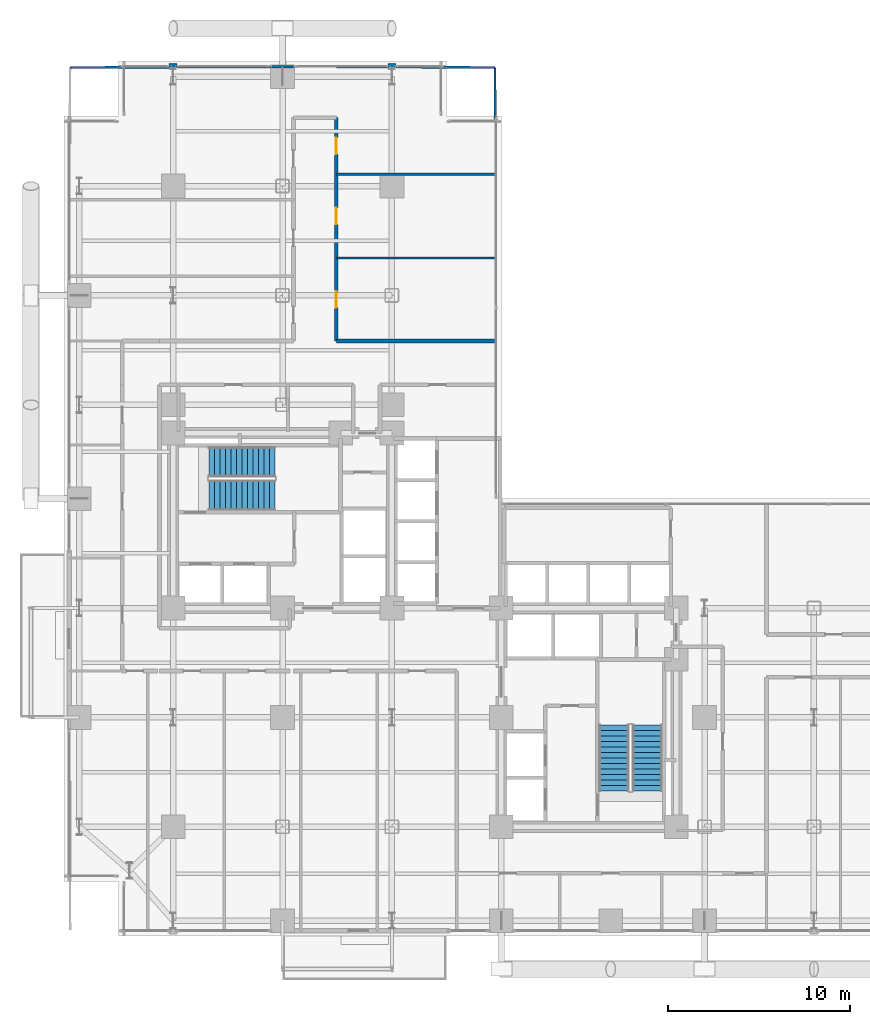
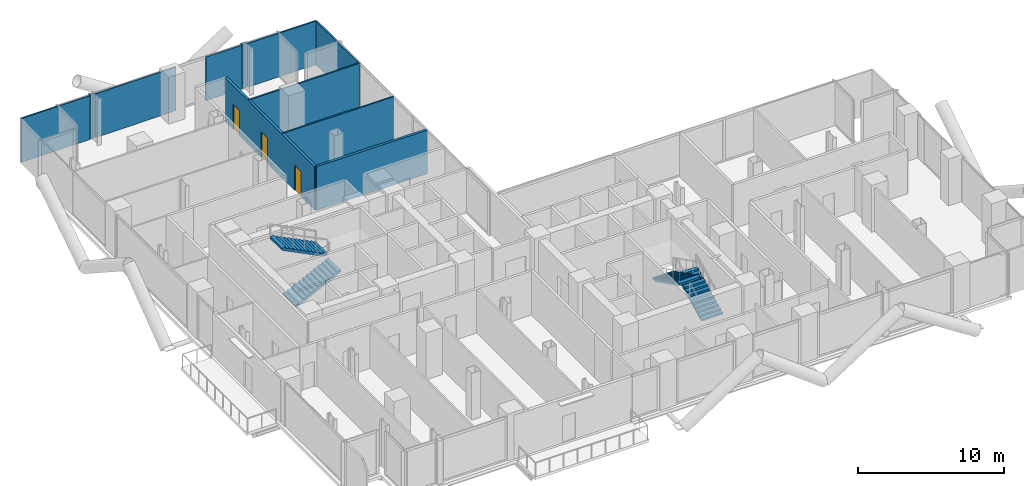
# One storey, part 23 of 25: 11 walls, 4 stair flights, 3 doors, 3 openings, 2 elements without a shape of their own.
"""IFC4 building model written with IfcOpenShell, lengths in metres."""

from ifc_helpers import new_model, si_unit, direction, frame, frame_2d, origin, place, context, subcontext, project, spatial, polyline, rectangle, outline, extrude, material, layer, layer_set, type_object, element, fill, aggregate, save


model = new_model("IFC4")

# Units and contexts
model_context = context("Model", 3, precision=1e-05, world=origin(), true_north=direction((0.0, 1.0)))
body_context = subcontext(model_context, "Body", "Model", "MODEL_VIEW")
ifc_project = project(units=[si_unit("LENGTHUNIT", "METRE"), si_unit("AREAUNIT", "SQUARE_METRE"), si_unit("VOLUMEUNIT", "CUBIC_METRE"), si_unit("PLANEANGLEUNIT", "RADIAN"), si_unit("MASSUNIT", "GRAM", prefix="KILO"), si_unit("THERMODYNAMICTEMPERATUREUNIT", "KELVIN"), si_unit("POWERUNIT", "WATT")], contexts=[model_context])

# Site, building, storey
site_placement = place(None, origin())
site = spatial("IfcSite", under=ifc_project, at=site_placement, CompositionType="ELEMENT")
building_placement = place(site_placement, origin())
building = spatial("IfcBuilding", under=site, at=building_placement, Name="Svarakhadi Broadcast Tower", CompositionType="ELEMENT")
storey_placement = place(building_placement, frame((0.0, 0.0, 51.89990234375)))
storey = spatial("IfcBuildingStorey", under=building, at=storey_placement, Name="L11", CompositionType="ELEMENT", Elevation=51.89990234375)

# Wall, openings, doors
ifc_material_1 = material(Name="Double-Stud Acoustic Studio Partition STC-62", Category="gypsum")
ifc_layer_1 = layer(ifc_material_1, 0.199951171875)
ifc_layer_set_1 = layer_set([ifc_layer_1], Name="Double-Stud Acoustic Studio Partition STC-62")
wall_type_1 = type_object("IfcWallType", Name="Wall_Acoust_200", PredefinedType="PARTITIONING", material=ifc_layer_set_1)
wall_1_placement = place(storey_placement, frame((14.949951171875, 44.89990234375, 0.0), z_axis=(0.0, 0.0, 1.0), x_axis=(0.0, -1.0, 0.0)))
wall_1 = element("IfcWall", 1, at=wall_1_placement, inside=storey, type_object=wall_type_1, Name="L11 Broadcast Corridor Wall", PredefinedType="PARTITIONING", context=body_context, shape_type="SweptSolid", body=[
    extrude(rectangle(XDim=12.25, YDim=0.199951171875, at=frame_2d((6.125, 0.0))), origin(), (0.0, 0.0, 1.0), 3.650146484375),
])
opening_1_placement = place(wall_1_placement, frame((9.52490234375, 0.0, 0.0)))
opening_1 = element("IfcOpeningElement", 2, at=opening_1_placement, cuts=wall_1, Name="Opening D-15", PredefinedType="OPENING", context=body_context, shape_type="SweptSolid", body=[
    extrude(rectangle(XDim=0.89990234375, YDim=2.10009765625, at=frame_2d((0.449951171875, 1.050048828125))), frame((0.0, 0.10986328125, 0.0), z_axis=(0.0, -1.0, 0.0), x_axis=(1.0, 0.0, 0.0)), (0.0, 0.0, 1.0), 0.219970703125),
])
opening_2_placement = place(wall_1_placement, frame((4.949951171875, 0.0, 0.0)))
opening_2 = element("IfcOpeningElement", 3, at=opening_2_placement, cuts=wall_1, Name="Opening D-14", PredefinedType="OPENING", context=body_context, shape_type="SweptSolid", body=[
    extrude(rectangle(XDim=0.89990234375, YDim=2.10009765625, at=frame_2d((0.449951171875, 1.050048828125))), frame((0.0, 0.10986328125, 0.0), z_axis=(0.0, -1.0, 0.0), x_axis=(1.0, 0.0, 0.0)), (0.0, 0.0, 1.0), 0.219970703125),
])
opening_3_placement = place(wall_1_placement, frame((1.10009765625, 0.0, 0.0)))
opening_3 = element("IfcOpeningElement", 4, at=opening_3_placement, cuts=wall_1, Name="Opening D-15", PredefinedType="OPENING", context=body_context, shape_type="SweptSolid", body=[
    extrude(rectangle(XDim=0.89990234375, YDim=2.10009765625, at=frame_2d((0.449951171875, 1.050048828125))), frame((0.0, 0.10986328125, 0.0), z_axis=(0.0, -1.0, 0.0), x_axis=(1.0, 0.0, 0.0)), (0.0, 0.0, 1.0), 0.219970703125),
])
ifc_material_2 = material(Name="Solid-Core Teak Veneer Acoustic Timber Leaf", Category="wood")
door_type_1 = type_object("IfcDoorType", Name="Door_Int_D14", OperationType="SINGLE_SWING_LEFT", PredefinedType="DOOR", material=ifc_material_2)
door_1_placement = place(opening_2_placement, origin())
door_1 = element("IfcDoor", 5, at=door_1_placement, inside=storey, type_object=door_type_1, Name="L11 Client Lounge Door", OperationType="SINGLE_SWING_LEFT", OverallHeight=2.10009765625, OverallWidth=0.89990234375, PredefinedType="DOOR", context=body_context, shape_type="SweptSolid", body=[
    extrude(rectangle(XDim=0.89990234375, YDim=2.10009765625, at=frame_2d((0.449951171875, 1.050048828125))), frame((0.0, 0.02490234375, 0.0), z_axis=(0.0, -1.0, 0.0), x_axis=(1.0, 0.0, 0.0)), (0.0, 0.0, 1.0), 0.050048828125),
])
fill(opening_2, door_1)
door_type_2 = type_object("IfcDoorType", Name="Door_Int_D15", OperationType="SINGLE_SWING_RIGHT", PredefinedType="DOOR", material=ifc_material_2)
door_2_placement = place(opening_1_placement, origin())
door_2 = element("IfcDoor", 6, at=door_2_placement, inside=storey, type_object=door_type_2, Name="L11 Producer Edit Room Door", OperationType="SINGLE_SWING_RIGHT", OverallHeight=2.10009765625, OverallWidth=0.89990234375, PredefinedType="DOOR", context=body_context, shape_type="SweptSolid", body=[
    extrude(rectangle(XDim=0.89990234375, YDim=2.10009765625, at=frame_2d((0.449951171875, 1.050048828125))), frame((0.0, 0.02490234375, 0.0), z_axis=(0.0, -1.0, 0.0), x_axis=(1.0, 0.0, 0.0)), (0.0, 0.0, 1.0), 0.050048828125),
])
fill(opening_1, door_2)
door_3_placement = place(opening_3_placement, origin())
door_3 = element("IfcDoor", 7, at=door_3_placement, inside=storey, type_object=door_type_2, Name="L11 Pantry Door", OperationType="SINGLE_SWING_RIGHT", OverallHeight=2.10009765625, OverallWidth=0.89990234375, PredefinedType="DOOR", context=body_context, shape_type="SweptSolid", body=[
    extrude(rectangle(XDim=0.89990234375, YDim=2.10009765625, at=frame_2d((0.449951171875, 1.050048828125))), frame((0.0, 0.02490234375, 0.0), z_axis=(0.0, -1.0, 0.0), x_axis=(1.0, 0.0, 0.0)), (0.0, 0.0, 1.0), 0.050048828125),
])
fill(opening_3, door_3)

# Walls
wall_2_placement = place(storey_placement, frame((14.949951171875, 32.64990234375, 0.0), z_axis=(0.0, 0.0, 1.0), x_axis=(1.0, 0.0, 0.0)))
element("IfcWall", 8, at=wall_2_placement, inside=storey, type_object=wall_type_1, Name="L11 Broadcast Corridor Wall", PredefinedType="PARTITIONING", context=body_context, shape_type="SweptSolid", body=[
    extrude(rectangle(XDim=8.75, YDim=0.199951171875, at=frame_2d((4.375, 0.0))), origin(), (0.0, 0.0, 1.0), 3.650146484375),
])
ifc_material_3 = material(Name="Concrete C40/50 (IS 456 M50)", Category="concrete")
ifc_layer_2 = layer(ifc_material_3, 0.239990234375)
ifc_layer_set_2 = layer_set([ifc_layer_2], Name="Concrete C40/50 (IS 456 M50)")
wall_type_2 = type_object("IfcWallType", Name="Wall_Ext_240", PredefinedType="SOLIDWALL", material=ifc_layer_set_2)
for number, where, z_axis, x_axis, name in (
    (9, (5.784912109375, 47.760009765625, 0.0), (0.0, 0.0, 1.0), (1.0, 0.0, 0.0), "L11 Perimeter Bronze Spandrel Closure Wall 01"),
    (10, (17.784912109375, 47.760009765625, 0.0), (0.0, 0.0, 1.0), (1.0, 0.0, 0.0), "L11 Perimeter Bronze Spandrel Closure Wall 02"),
):
    element("IfcWall", number, at=place(storey_placement, frame(where, z_axis=z_axis, x_axis=x_axis)), inside=storey, type_object=wall_type_2, Name=name, PredefinedType="SOLIDWALL", context=body_context, shape_type="SweptSolid", body=[
        extrude(rectangle(XDim=0.43017578125, YDim=0.239990234375, at=frame_2d((0.215087890625, 0.0))), origin(), (0.0, 0.0, 1.0), 3.650146484375),
    ])
ifc_material_4 = material(Name="Fire-Rated Moisture-Resistant Gypsum Board Partition", Category="gypsum")
ifc_layer_3 = layer(ifc_material_4, 0.125)
ifc_layer_set_3 = layer_set([ifc_layer_3], Name="Fire-Rated Moisture-Resistant Gypsum Board Partition")
wall_type_3 = type_object("IfcWallType", Name="Wall_Part_125", PredefinedType="PARTITIONING", material=ifc_layer_set_3)
wall_3_placement = place(storey_placement, frame((0.35009765625, 47.64990234375, 0.0), z_axis=(0.0, 0.0, 1.0), x_axis=(0.999991644778, 0.004087832518, 0.0)))
element("IfcWall", 11, at=wall_3_placement, inside=storey, type_object=wall_type_3, Name="L11 Mastering Studio Wall", PredefinedType="PARTITIONING", context=body_context, shape_type="SweptSolid", body=[
    extrude(rectangle(XDim=5.434814453125, YDim=0.125, at=frame_2d((2.71728515625, 0.0))), origin(), (0.0, 0.0, 1.0), 3.650146484375),
])
wall_4_placement = place(storey_placement, frame((6.215087890625, 47.673828125, 0.0), z_axis=(0.0, 0.0, 1.0), x_axis=(0.999991630701, 0.004091274595, 0.0)))
element("IfcWall", 12, at=wall_4_placement, inside=storey, type_object=wall_type_3, Name="L11 Mastering Studio Wall", PredefinedType="PARTITIONING", context=body_context, shape_type="SweptSolid", body=[
    extrude(rectangle(XDim=6.385009765625, YDim=0.125, at=frame_2d((3.1923828125, 0.0))), origin(), (0.0, 0.0, 1.0), 3.650146484375),
])
for number, where, z_axis, x_axis, name in (
    (13, (14.949951171875, 37.199951171875, 0.0), (0.0, 0.0, 1.0), (1.0, 0.0, 0.0), "L11 Producer Edit Room Wall"),
    (14, (14.949951171875, 41.800048828125, 0.0), (0.0, 0.0, 1.0), (1.0, 0.0, 0.0), "L11 Client Lounge Wall"),
):
    element("IfcWall", number, at=place(storey_placement, frame(where, z_axis=z_axis, x_axis=x_axis)), inside=storey, type_object=wall_type_3, Name=name, PredefinedType="PARTITIONING", context=body_context, shape_type="SweptSolid", body=[
        extrude(rectangle(XDim=8.75, YDim=0.125, at=frame_2d((4.375, 0.0))), origin(), (0.0, 0.0, 1.0), 3.650146484375),
    ])
wall_5_placement = place(storey_placement, frame((14.949951171875, 47.699951171875, 0.0), z_axis=(0.0, 0.0, 1.0), x_axis=(0.999983354582, -0.005769797172, 0.0)))
element("IfcWall", 15, at=wall_5_placement, inside=storey, type_object=wall_type_3, Name="L11 Pantry Wall", PredefinedType="PARTITIONING", context=body_context, shape_type="SweptSolid", body=[
    extrude(rectangle(XDim=2.8349609375, YDim=0.125, at=frame_2d((1.41748046875, 0.0))), origin(), (0.0, 0.0, 1.0), 3.650146484375),
])
wall_6_placement = place(storey_placement, frame((18.215087890625, 47.68115234375, 0.0), z_axis=(0.0, 0.0, 1.0), x_axis=(0.999983469354, -0.005749871258, 0.0)))
element("IfcWall", 16, at=wall_6_placement, inside=storey, type_object=wall_type_3, Name="L11 Pantry Wall", PredefinedType="PARTITIONING", context=body_context, shape_type="SweptSolid", body=[
    extrude(rectangle(XDim=5.434814453125, YDim=0.125, at=frame_2d((2.71728515625, 0.0))), origin(), (0.0, 0.0, 1.0), 3.650146484375),
])
wall_7_placement = place(storey_placement, frame((23.699951171875, 41.800048828125, 0.0), z_axis=(0.0, 0.0, 1.0), x_axis=(-0.00855525636, 0.999963403125, 0.0)))
element("IfcWall", 17, at=wall_7_placement, inside=storey, type_object=wall_type_3, Name="L11 Pantry Wall", PredefinedType="PARTITIONING", context=body_context, shape_type="SweptSolid", body=[
    extrude(rectangle(XDim=5.85009765625, YDim=0.125, at=frame_2d((2.925048828125, 0.0))), origin(), (0.0, 0.0, 1.0), 3.650146484375),
])

# Stair, stair flights
stair_type = type_object("IfcStairType", Name="Stair_Exit_Core", PredefinedType="HALF_TURN_STAIR", material=ifc_material_3)
stair_1_placement = place(storey_placement, origin())
stair_1 = element("IfcStair", 18, at=stair_1_placement, inside=storey, type_object=stair_type, Name="L11 West Core Protected Exit Stair ST-01", PredefinedType="HALF_TURN_STAIR")
stair_flight_type = type_object("IfcStairFlightType", Name="Flight_RC_1680", PredefinedType="STRAIGHT", material=ifc_material_3)
stair_flight_1_placement = place(storey_placement, frame((7.97998046875, 24.18994140625, 0.0), z_axis=(0.0, 0.0, 1.0), x_axis=(1.0, 0.0, 0.0)))
stair_flight_1 = element("IfcStairFlight", 19, at=stair_flight_1_placement, type_object=stair_flight_type, Name="ST-01 flight 1", NumberOfRisers=13, NumberOfTreads=12, PredefinedType="STRAIGHT", RiserHeight=0.15, TreadLength=0.3, context=body_context, shape_type="SweptSolid", body=[
    extrude(outline(polyline([(0.0, 0.0), (0.0, 0.14990234375), (0.300048828125, 0.14990234375), (0.300048828125, 0.300048828125), (0.60009765625, 0.300048828125), (0.60009765625, 0.449951171875), (0.89990234375, 0.449951171875), (0.89990234375, 0.60009765625), (1.199951171875, 0.60009765625), (1.199951171875, 0.75), (1.5, 0.75), (1.5, 0.89990234375), (1.800048828125, 0.89990234375), (1.800048828125, 1.050048828125), (2.10009765625, 1.050048828125), (2.10009765625, 1.199951171875), (2.39990234375, 1.199951171875), (2.39990234375, 1.35009765625), (2.699951171875, 1.35009765625), (2.699951171875, 1.5), (3.0, 1.5), (3.0, 1.64990234375), (3.300048828125, 1.64990234375), (3.300048828125, 1.800048828125), (3.60009765625, 1.800048828125), (3.60009765625, 1.949951171875), (3.60009765625, 1.63232421875), (0.335205078125, 0.0), (0.0, 0.0)])), frame((0.0, 0.830078125, 0.0), z_axis=(0.0, -1.0, 0.0), x_axis=(1.0, 0.0, 0.0)), (0.0, 0.0, 1.0), 1.659912109375),
])
stair_flight_2_placement = place(storey_placement, frame((11.580078125, 26.010009765625, 1.9501953125), z_axis=(0.0, 0.0, 1.0), x_axis=(-1.0, 0.0, 0.0)))
stair_flight_2 = element("IfcStairFlight", 20, at=stair_flight_2_placement, type_object=stair_flight_type, Name="ST-01 flight 2", NumberOfRisers=13, NumberOfTreads=12, PredefinedType="STRAIGHT", RiserHeight=0.15, TreadLength=0.3, context=body_context, shape_type="SweptSolid", body=[
    extrude(outline(polyline([(0.0, 0.0), (0.0, 0.14990234375), (0.300048828125, 0.14990234375), (0.300048828125, 0.300048828125), (0.60009765625, 0.300048828125), (0.60009765625, 0.449951171875), (0.89990234375, 0.449951171875), (0.89990234375, 0.60009765625), (1.199951171875, 0.60009765625), (1.199951171875, 0.75), (1.5, 0.75), (1.5, 0.89990234375), (1.800048828125, 0.89990234375), (1.800048828125, 1.050048828125), (2.10009765625, 1.050048828125), (2.10009765625, 1.199951171875), (2.39990234375, 1.199951171875), (2.39990234375, 1.35009765625), (2.699951171875, 1.35009765625), (2.699951171875, 1.5), (3.0, 1.5), (3.0, 1.64990234375), (3.300048828125, 1.64990234375), (3.300048828125, 1.800048828125), (3.60009765625, 1.800048828125), (3.60009765625, 1.949951171875), (3.60009765625, 1.63232421875), (0.335205078125, 0.0), (0.0, 0.0)])), frame((0.0, 0.830078125, 0.0), z_axis=(0.0, -1.0, 0.0), x_axis=(1.0, 0.0, 0.0)), (0.0, 0.0, 1.0), 1.659912109375),
])
aggregate(stair_1, [stair_flight_1, stair_flight_2])

stair_2_placement = place(storey_placement, origin())
stair_2 = element("IfcStair", 21, at=stair_2_placement, inside=storey, type_object=stair_type, Name="L11 East Core Protected Exit Stair ST-02", PredefinedType="HALF_TURN_STAIR")
stair_flight_3_placement = place(storey_placement, frame((32.010009765625, 7.97998046875, 0.0), z_axis=(0.0, 0.0, 1.0), x_axis=(0.0, 1.0, 0.0)))
stair_flight_3 = element("IfcStairFlight", 22, at=stair_flight_3_placement, type_object=stair_flight_type, Name="ST-02 flight 1", NumberOfRisers=13, NumberOfTreads=12, PredefinedType="STRAIGHT", RiserHeight=0.15, TreadLength=0.3, context=body_context, shape_type="SweptSolid", body=[
    extrude(outline(polyline([(0.0, 0.0), (0.0, 0.14990234375), (0.300048828125, 0.14990234375), (0.300048828125, 0.300048828125), (0.60009765625, 0.300048828125), (0.60009765625, 0.449951171875), (0.89990234375, 0.449951171875), (0.89990234375, 0.60009765625), (1.199951171875, 0.60009765625), (1.199951171875, 0.75), (1.5, 0.75), (1.5, 0.89990234375), (1.800048828125, 0.89990234375), (1.800048828125, 1.050048828125), (2.10009765625, 1.050048828125), (2.10009765625, 1.199951171875), (2.39990234375, 1.199951171875), (2.39990234375, 1.35009765625), (2.699951171875, 1.35009765625), (2.699951171875, 1.5), (3.0, 1.5), (3.0, 1.64990234375), (3.300048828125, 1.64990234375), (3.300048828125, 1.800048828125), (3.60009765625, 1.800048828125), (3.60009765625, 1.949951171875), (3.60009765625, 1.63232421875), (0.335205078125, 0.0), (0.0, 0.0)])), frame((0.0, 0.830078125, 0.0), z_axis=(0.0, -1.0, 0.0), x_axis=(1.0, 0.0, 0.0)), (0.0, 0.0, 1.0), 1.659912109375),
])
stair_flight_4_placement = place(storey_placement, frame((30.18994140625, 11.580078125, 1.9501953125), z_axis=(0.0, 0.0, 1.0), x_axis=(0.0, -1.0, 0.0)))
stair_flight_4 = element("IfcStairFlight", 23, at=stair_flight_4_placement, type_object=stair_flight_type, Name="ST-02 flight 2", NumberOfRisers=13, NumberOfTreads=12, PredefinedType="STRAIGHT", RiserHeight=0.15, TreadLength=0.3, context=body_context, shape_type="SweptSolid", body=[
    extrude(outline(polyline([(0.0, 0.0), (0.0, 0.14990234375), (0.300048828125, 0.14990234375), (0.300048828125, 0.300048828125), (0.60009765625, 0.300048828125), (0.60009765625, 0.449951171875), (0.89990234375, 0.449951171875), (0.89990234375, 0.60009765625), (1.199951171875, 0.60009765625), (1.199951171875, 0.75), (1.5, 0.75), (1.5, 0.89990234375), (1.800048828125, 0.89990234375), (1.800048828125, 1.050048828125), (2.10009765625, 1.050048828125), (2.10009765625, 1.199951171875), (2.39990234375, 1.199951171875), (2.39990234375, 1.35009765625), (2.699951171875, 1.35009765625), (2.699951171875, 1.5), (3.0, 1.5), (3.0, 1.64990234375), (3.300048828125, 1.64990234375), (3.300048828125, 1.800048828125), (3.60009765625, 1.800048828125), (3.60009765625, 1.949951171875), (3.60009765625, 1.63232421875), (0.335205078125, 0.0), (0.0, 0.0)])), frame((0.0, 0.830078125, 0.0), z_axis=(0.0, -1.0, 0.0), x_axis=(1.0, 0.0, 0.0)), (0.0, 0.0, 1.0), 1.659912109375),
])
aggregate(stair_2, [stair_flight_3, stair_flight_4])

save(model, "model.ifc")
